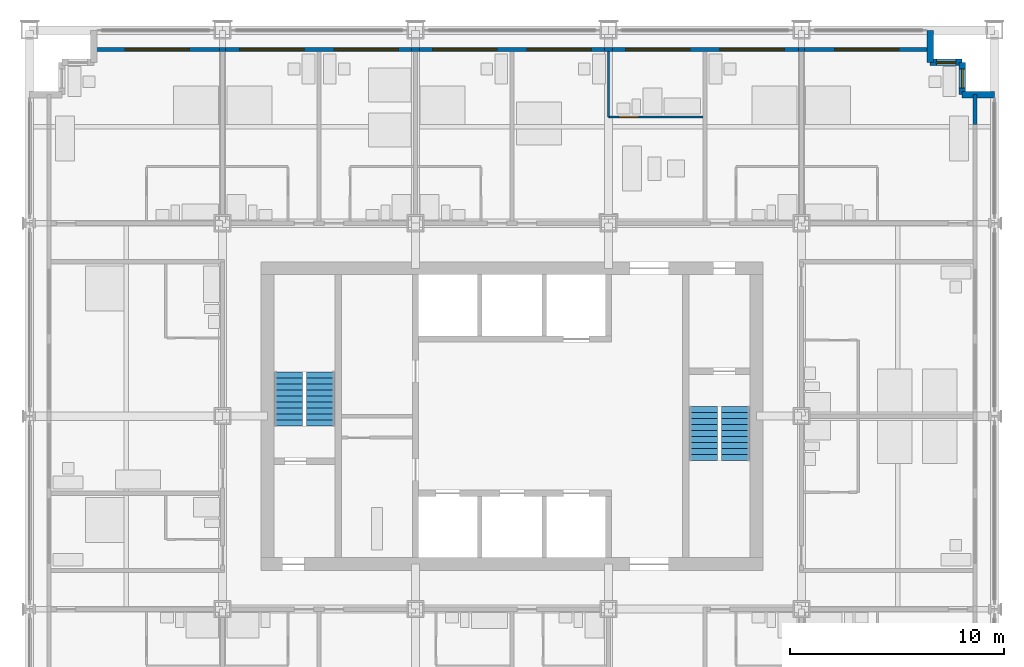
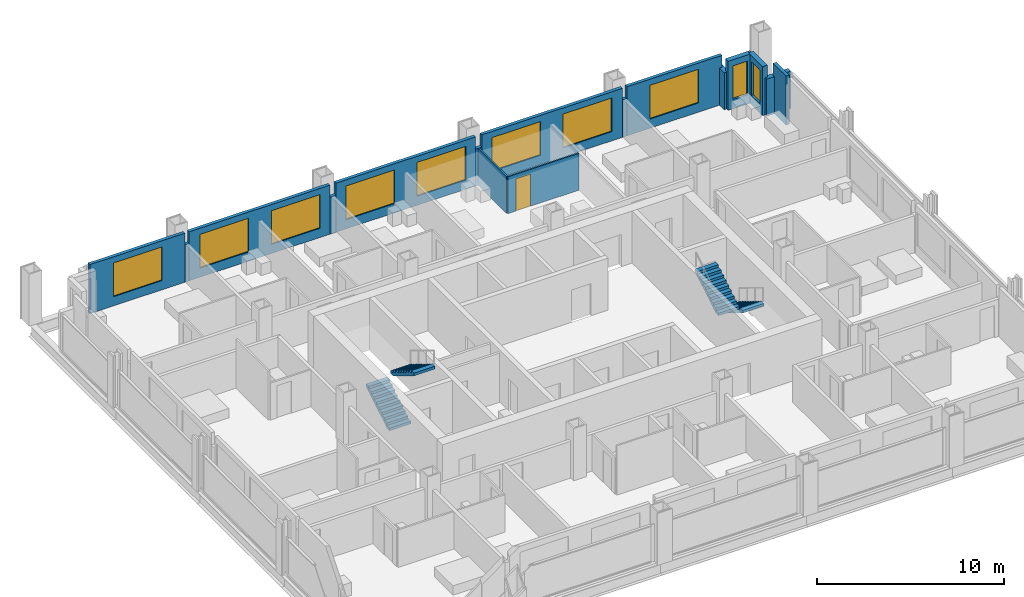
# One storey, part 13 of 16: 16 walls, 10 windows, 4 stair flights, 1 door, 11 openings, 2 elements without a shape of their own.
"""IFC4 building model written with IfcOpenShell, lengths in metres."""

from ifc_helpers import new_model, si_unit, direction, frame, frame_2d, origin, place, context, subcontext, project, spatial, polyline, rectangle, outline, extrude, material, layer, layer_set, type_object, element, fill, aggregate, save


model = new_model("IFC4")

# Units and contexts
model_context = context("Model", 3, precision=1e-05, world=origin(), true_north=direction((0.0, 1.0)))
body_context = subcontext(model_context, "Body", "Model", "MODEL_VIEW")
ifc_project = project(units=[si_unit("LENGTHUNIT", "METRE"), si_unit("AREAUNIT", "SQUARE_METRE"), si_unit("VOLUMEUNIT", "CUBIC_METRE"), si_unit("PLANEANGLEUNIT", "RADIAN"), si_unit("MASSUNIT", "GRAM", prefix="KILO")], contexts=[model_context])

# Site, building, storey
site_placement = place(None, origin())
site = spatial("IfcSite", under=ifc_project, at=site_placement, CompositionType="ELEMENT")
building_placement = place(site_placement, origin())
building = spatial("IfcBuilding", under=site, at=building_placement, Name="Loomwork Tower", CompositionType="ELEMENT")
storey_placement = place(building_placement, frame((0.0, 0.0, 104.39990234375)))
storey = spatial("IfcBuildingStorey", under=building, at=storey_placement, Name="L27", CompositionType="ELEMENT", Elevation=104.39990234375)

# Wall, opening, door
ifc_material_1 = material(Name="Cement board on steel studs", Category="steel")
ifc_layer_1 = layer(ifc_material_1, 0.10009765625)
ifc_layer_set_1 = layer_set([ifc_layer_1], Name="En-suite partition 100")
wall_type_1 = type_object("IfcWallType", Name="En-suite partition 100", PredefinedType="PARTITIONING", material=ifc_layer_set_1)
wall_1_placement = place(storey_placement, frame((27.0, 31.949951171875, 0.0), z_axis=(0.0, 0.0, 1.0), x_axis=(1.0, 0.0, 0.0)))
wall_1 = element("IfcWall", 1, at=wall_1_placement, inside=storey, type_object=wall_type_1, Name="Spa bathroom wall L27 room 11", PredefinedType="PARTITIONING", context=body_context, shape_type="SweptSolid", body=[
    extrude(rectangle(XDim=4.39990234375, YDim=0.10009765625, at=frame_2d((2.199951171875, 0.0))), origin(), (0.0, 0.0, 1.0), 2.404052734375),
])
opening_1_placement = place(wall_1_placement, frame((0.5, 0.0, 0.0)))
opening_1 = element("IfcOpeningElement", 2, at=opening_1_placement, cuts=wall_1, Name="Opening D2", PredefinedType="OPENING", context=body_context, shape_type="SweptSolid", body=[
    extrude(rectangle(XDim=0.89990234375, YDim=2.10009765625, at=frame_2d((0.449951171875, 1.050048828125))), frame((0.0, 0.06005859375, 0.0), z_axis=(0.0, -1.0, 0.0), x_axis=(1.0, 0.0, 0.0)), (0.0, 0.0, 1.0), 0.1201171875),
])
ifc_material_2 = material(Name="Hollow metal door and frame")
door_type = type_object("IfcDoorType", Name="En-suite door 900", OperationType="SINGLE_SWING_LEFT", PredefinedType="DOOR", material=ifc_material_2)
door_placement = place(opening_1_placement, origin())
door = element("IfcDoor", 3, at=door_placement, inside=storey, type_object=door_type, Name="Spa bathroom door room 11", OperationType="SINGLE_SWING_LEFT", OverallHeight=2.10009765625, OverallWidth=0.89990234375, PredefinedType="DOOR", context=body_context, shape_type="SweptSolid", body=[
    extrude(rectangle(XDim=0.89990234375, YDim=2.10009765625, at=frame_2d((0.449951171875, 1.050048828125))), frame((0.0, 0.02490234375, 0.0), z_axis=(0.0, -1.0, 0.0), x_axis=(1.0, 0.0, 0.0)), (0.0, 0.0, 1.0), 0.050048828125),
])
fill(opening_1, door)

# Wall
wall_2_placement = place(storey_placement, frame((27.0, 31.949951171875, 0.0), z_axis=(0.0, 0.0, 1.0), x_axis=(0.0, 1.0, 0.0)))
element("IfcWall", 4, at=wall_2_placement, inside=storey, type_object=wall_type_1, Name="Spa bathroom side wall L27 room 11", PredefinedType="PARTITIONING", context=body_context, shape_type="SweptSolid", body=[
    extrude(rectangle(XDim=3.050048828125, YDim=0.10009765625, at=frame_2d((1.52490234375, 0.0))), origin(), (0.0, 0.0, 1.0), 2.405029296875),
])

# Wall, opening, window
ifc_material_3 = material(Name="Insulated steel stud wall with gypsum lining", Category="steel")
ifc_layer_2 = layer(ifc_material_3, 0.199951171875)
ifc_layer_set_2 = layer_set([ifc_layer_2], Name="Inner skin wall 200")
wall_type_2 = type_object("IfcWallType", Name="Inner skin wall 200", PredefinedType="SOLIDWALL", material=ifc_layer_set_2)
wall_3_placement = place(storey_placement, frame((3.0, 35.10009765625, 0.0), z_axis=(0.0, 0.0, 1.0), x_axis=(1.0, 0.0, 0.0)))
wall_3 = element("IfcWall", 5, at=wall_3_placement, inside=storey, type_object=wall_type_2, Name="Inner skin wall N", PredefinedType="SOLIDWALL", context=body_context, shape_type="SweptSolid", body=[
    extrude(rectangle(XDim=5.86474609375, YDim=0.199951171875, at=frame_2d((2.932373046875, 0.0))), origin(), (0.0, 0.0, 1.0), 3.2001953125),
])
opening_2_placement = place(wall_3_placement, frame((1.449951171875, 0.0, 0.60009765625)))
opening_2 = element("IfcOpeningElement", 6, at=opening_2_placement, cuts=wall_3, Name="Opening CH1", PredefinedType="OPENING", context=body_context, shape_type="SweptSolid", body=[
    extrude(rectangle(XDim=3.0, YDim=2.199951171875, at=frame_2d((1.5, 1.10009765625))), frame((0.0, 0.10986328125, 0.0), z_axis=(0.0, -1.0, 0.0), x_axis=(1.0, 0.0, 0.0)), (0.0, 0.0, 1.0), 0.219970703125),
])
ifc_material_4 = material(Name="Aluminium frame with clear insulated glass", Category="aluminium")
window_type_1 = type_object("IfcWindowType", Name="Chicago window 3000", PartitioningType="TRIPLE_PANEL_VERTICAL", PredefinedType="WINDOW", material=ifc_material_4)
window_1_placement = place(opening_2_placement, origin())
window_1 = element("IfcWindow", 7, at=window_1_placement, inside=storey, type_object=window_type_1, Name="Chicago window L27 bay 6", OverallHeight=2.199951171875, OverallWidth=3.0, PartitioningType="TRIPLE_PANEL_VERTICAL", PredefinedType="WINDOW", context=body_context, shape_type="SweptSolid", body=[
    extrude(rectangle(XDim=3.0, YDim=2.199951171875, at=frame_2d((1.5, 1.10009765625))), frame((0.0, 0.030029296875, 0.0), z_axis=(0.0, -1.0, 0.0), x_axis=(1.0, 0.0, 0.0)), (0.0, 0.0, 1.0), 0.06005859375),
])
fill(opening_2, window_1)

# Wall
wall_4_placement = place(storey_placement, frame((8.86474609375, 35.10009765625, 0.0), z_axis=(0.0, 0.0, 1.0), x_axis=(1.0, 0.0, 0.0)))
element("IfcWall", 8, at=wall_4_placement, inside=storey, type_object=wall_type_2, Name="Inner skin wall N bay 2", PredefinedType="SOLIDWALL", context=body_context, shape_type="SweptSolid", body=[
    extrude(rectangle(XDim=0.2705078125, YDim=0.199951171875, at=frame_2d((0.13525390625, 0.0))), origin(), (0.0, 0.0, 1.0), 2.43798828125),
])

# Wall, openings, windows
wall_5_placement = place(storey_placement, frame((9.13525390625, 35.10009765625, 0.0), z_axis=(0.0, 0.0, 1.0), x_axis=(1.0, 0.0, 0.0)))
wall_5 = element("IfcWall", 9, at=wall_5_placement, inside=storey, type_object=wall_type_2, Name="Inner skin wall N bay 3", PredefinedType="SOLIDWALL", context=body_context, shape_type="SweptSolid", body=[
    extrude(rectangle(XDim=8.6708984375, YDim=0.199951171875, at=frame_2d((4.33544921875, 0.0))), origin(), (0.0, 0.0, 1.0), 3.2001953125),
])
opening_3_placement = place(wall_5_placement, frame((0.664794921875, 0.0, 0.60009765625)))
opening_3 = element("IfcOpeningElement", 10, at=opening_3_placement, cuts=wall_5, Name="Opening CH1", PredefinedType="OPENING", context=body_context, shape_type="SweptSolid", body=[
    extrude(rectangle(XDim=3.0, YDim=2.199951171875, at=frame_2d((1.5, 1.10009765625))), frame((0.0, 0.10986328125, 0.0), z_axis=(0.0, -1.0, 0.0), x_axis=(1.0, 0.0, 0.0)), (0.0, 0.0, 1.0), 0.219970703125),
])
opening_4_placement = place(wall_5_placement, frame((5.064697265625, 0.0, 0.60009765625)))
opening_4 = element("IfcOpeningElement", 11, at=opening_4_placement, cuts=wall_5, Name="Opening CH1", PredefinedType="OPENING", context=body_context, shape_type="SweptSolid", body=[
    extrude(rectangle(XDim=3.0, YDim=2.199951171875, at=frame_2d((1.5, 1.10009765625))), frame((0.0, 0.10986328125, 0.0), z_axis=(0.0, -1.0, 0.0), x_axis=(1.0, 0.0, 0.0)), (0.0, 0.0, 1.0), 0.219970703125),
])
window_2_placement = place(opening_3_placement, origin())
window_2 = element("IfcWindow", 12, at=window_2_placement, inside=storey, type_object=window_type_1, Name="Chicago window L27 bay 7", OverallHeight=2.199951171875, OverallWidth=3.0, PartitioningType="TRIPLE_PANEL_VERTICAL", PredefinedType="WINDOW", context=body_context, shape_type="SweptSolid", body=[
    extrude(rectangle(XDim=3.0, YDim=2.199951171875, at=frame_2d((1.5, 1.10009765625))), frame((0.0, 0.030029296875, 0.0), z_axis=(0.0, -1.0, 0.0), x_axis=(1.0, 0.0, 0.0)), (0.0, 0.0, 1.0), 0.06005859375),
])
fill(opening_3, window_2)
window_3_placement = place(opening_4_placement, origin())
window_3 = element("IfcWindow", 13, at=window_3_placement, inside=storey, type_object=window_type_1, Name="Chicago window L27 bay 7", OverallHeight=2.199951171875, OverallWidth=3.0, PartitioningType="TRIPLE_PANEL_VERTICAL", PredefinedType="WINDOW", context=body_context, shape_type="SweptSolid", body=[
    extrude(rectangle(XDim=3.0, YDim=2.199951171875, at=frame_2d((1.5, 1.10009765625))), frame((0.0, 0.030029296875, 0.0), z_axis=(0.0, -1.0, 0.0), x_axis=(1.0, 0.0, 0.0)), (0.0, 0.0, 1.0), 0.06005859375),
])
fill(opening_4, window_3)

# Wall
wall_6_placement = place(storey_placement, frame((17.80615234375, 35.10009765625, 0.0), z_axis=(0.0, 0.0, 1.0), x_axis=(1.0, 0.0, 0.0)))
element("IfcWall", 14, at=wall_6_placement, inside=storey, type_object=wall_type_2, Name="Inner skin wall N bay 4", PredefinedType="SOLIDWALL", context=body_context, shape_type="SweptSolid", body=[
    extrude(rectangle(XDim=0.3876953125, YDim=0.199951171875, at=frame_2d((0.19384765625, 0.0))), origin(), (0.0, 0.0, 1.0), 2.404052734375),
])

# Wall, openings, windows
wall_7_placement = place(storey_placement, frame((18.19384765625, 35.10009765625, 0.0), z_axis=(0.0, 0.0, 1.0), x_axis=(1.0, 0.0, 0.0)))
wall_7 = element("IfcWall", 15, at=wall_7_placement, inside=storey, type_object=wall_type_2, Name="Inner skin wall N bay 5", PredefinedType="SOLIDWALL", context=body_context, shape_type="SweptSolid", body=[
    extrude(rectangle(XDim=8.6123046875, YDim=0.199951171875, at=frame_2d((4.30615234375, 0.0))), origin(), (0.0, 0.0, 1.0), 3.2001953125),
])
opening_5_placement = place(wall_7_placement, frame((0.606201171875, 0.0, 0.60009765625)))
opening_5 = element("IfcOpeningElement", 16, at=opening_5_placement, cuts=wall_7, Name="Opening CH1", PredefinedType="OPENING", context=body_context, shape_type="SweptSolid", body=[
    extrude(rectangle(XDim=3.0, YDim=2.199951171875, at=frame_2d((1.5, 1.10009765625))), frame((0.0, 0.10986328125, 0.0), z_axis=(0.0, -1.0, 0.0), x_axis=(1.0, 0.0, 0.0)), (0.0, 0.0, 1.0), 0.219970703125),
])
opening_6_placement = place(wall_7_placement, frame((5.006103515625, 0.0, 0.60009765625)))
opening_6 = element("IfcOpeningElement", 17, at=opening_6_placement, cuts=wall_7, Name="Opening CH1", PredefinedType="OPENING", context=body_context, shape_type="SweptSolid", body=[
    extrude(rectangle(XDim=3.0, YDim=2.199951171875, at=frame_2d((1.5, 1.10009765625))), frame((0.0, 0.10986328125, 0.0), z_axis=(0.0, -1.0, 0.0), x_axis=(1.0, 0.0, 0.0)), (0.0, 0.0, 1.0), 0.219970703125),
])
window_4_placement = place(opening_5_placement, origin())
window_4 = element("IfcWindow", 18, at=window_4_placement, inside=storey, type_object=window_type_1, Name="Chicago window L27 bay 8", OverallHeight=2.199951171875, OverallWidth=3.0, PartitioningType="TRIPLE_PANEL_VERTICAL", PredefinedType="WINDOW", context=body_context, shape_type="SweptSolid", body=[
    extrude(rectangle(XDim=3.0, YDim=2.199951171875, at=frame_2d((1.5, 1.10009765625))), frame((0.0, 0.030029296875, 0.0), z_axis=(0.0, -1.0, 0.0), x_axis=(1.0, 0.0, 0.0)), (0.0, 0.0, 1.0), 0.06005859375),
])
fill(opening_5, window_4)
window_5_placement = place(opening_6_placement, origin())
window_5 = element("IfcWindow", 19, at=window_5_placement, inside=storey, type_object=window_type_1, Name="Chicago window L27 bay 8", OverallHeight=2.199951171875, OverallWidth=3.0, PartitioningType="TRIPLE_PANEL_VERTICAL", PredefinedType="WINDOW", context=body_context, shape_type="SweptSolid", body=[
    extrude(rectangle(XDim=3.0, YDim=2.199951171875, at=frame_2d((1.5, 1.10009765625))), frame((0.0, 0.030029296875, 0.0), z_axis=(0.0, -1.0, 0.0), x_axis=(1.0, 0.0, 0.0)), (0.0, 0.0, 1.0), 0.06005859375),
])
fill(opening_6, window_5)

# Wall
wall_8_placement = place(storey_placement, frame((26.80615234375, 35.10009765625, 0.0), z_axis=(0.0, 0.0, 1.0), x_axis=(1.0, 0.0, 0.0)))
element("IfcWall", 20, at=wall_8_placement, inside=storey, type_object=wall_type_2, Name="Inner skin wall N bay 6", PredefinedType="SOLIDWALL", context=body_context, shape_type="SweptSolid", body=[
    extrude(rectangle(XDim=0.3876953125, YDim=0.199951171875, at=frame_2d((0.19384765625, 0.0))), origin(), (0.0, 0.0, 1.0), 2.404052734375),
])

# Wall, openings, windows
wall_9_placement = place(storey_placement, frame((27.19384765625, 35.10009765625, 0.0), z_axis=(0.0, 0.0, 1.0), x_axis=(1.0, 0.0, 0.0)))
wall_9 = element("IfcWall", 21, at=wall_9_placement, inside=storey, type_object=wall_type_2, Name="Inner skin wall N bay 7", PredefinedType="SOLIDWALL", context=body_context, shape_type="SweptSolid", body=[
    extrude(rectangle(XDim=8.670654296875, YDim=0.199951171875, at=frame_2d((4.33544921875, 0.0))), origin(), (0.0, 0.0, 1.0), 3.2001953125),
])
opening_7_placement = place(wall_9_placement, frame((0.606201171875, 0.0, 0.60009765625)))
opening_7 = element("IfcOpeningElement", 22, at=opening_7_placement, cuts=wall_9, Name="Opening CH1", PredefinedType="OPENING", context=body_context, shape_type="SweptSolid", body=[
    extrude(rectangle(XDim=3.0, YDim=2.199951171875, at=frame_2d((1.5, 1.10009765625))), frame((0.0, 0.10986328125, 0.0), z_axis=(0.0, -1.0, 0.0), x_axis=(1.0, 0.0, 0.0)), (0.0, 0.0, 1.0), 0.219970703125),
])
opening_8_placement = place(wall_9_placement, frame((5.006103515625, 0.0, 0.60009765625)))
opening_8 = element("IfcOpeningElement", 23, at=opening_8_placement, cuts=wall_9, Name="Opening CH1", PredefinedType="OPENING", context=body_context, shape_type="SweptSolid", body=[
    extrude(rectangle(XDim=3.0, YDim=2.199951171875, at=frame_2d((1.5, 1.10009765625))), frame((0.0, 0.10986328125, 0.0), z_axis=(0.0, -1.0, 0.0), x_axis=(1.0, 0.0, 0.0)), (0.0, 0.0, 1.0), 0.219970703125),
])
window_6_placement = place(opening_7_placement, origin())
window_6 = element("IfcWindow", 24, at=window_6_placement, inside=storey, type_object=window_type_1, Name="Chicago window L27 bay 9", OverallHeight=2.199951171875, OverallWidth=3.0, PartitioningType="TRIPLE_PANEL_VERTICAL", PredefinedType="WINDOW", context=body_context, shape_type="SweptSolid", body=[
    extrude(rectangle(XDim=3.0, YDim=2.199951171875, at=frame_2d((1.5, 1.10009765625))), frame((0.0, 0.030029296875, 0.0), z_axis=(0.0, -1.0, 0.0), x_axis=(1.0, 0.0, 0.0)), (0.0, 0.0, 1.0), 0.06005859375),
])
fill(opening_7, window_6)
window_7_placement = place(opening_8_placement, origin())
window_7 = element("IfcWindow", 25, at=window_7_placement, inside=storey, type_object=window_type_1, Name="Chicago window L27 bay 9", OverallHeight=2.199951171875, OverallWidth=3.0, PartitioningType="TRIPLE_PANEL_VERTICAL", PredefinedType="WINDOW", context=body_context, shape_type="SweptSolid", body=[
    extrude(rectangle(XDim=3.0, YDim=2.199951171875, at=frame_2d((1.5, 1.10009765625))), frame((0.0, 0.030029296875, 0.0), z_axis=(0.0, -1.0, 0.0), x_axis=(1.0, 0.0, 0.0)), (0.0, 0.0, 1.0), 0.06005859375),
])
fill(opening_8, window_7)

# Wall
wall_10_placement = place(storey_placement, frame((35.864501953125, 35.10009765625, 0.0), z_axis=(0.0, 0.0, 1.0), x_axis=(1.0, 0.0, 0.0)))
element("IfcWall", 26, at=wall_10_placement, inside=storey, type_object=wall_type_2, Name="Inner skin wall N bay 8", PredefinedType="SOLIDWALL", context=body_context, shape_type="SweptSolid", body=[
    extrude(rectangle(XDim=0.27099609375, YDim=0.199951171875, at=frame_2d((0.135498046875, 0.0))), origin(), (0.0, 0.0, 1.0), 2.43798828125),
])

# Wall, opening, window
wall_11_placement = place(storey_placement, frame((36.135498046875, 35.10009765625, 0.0), z_axis=(0.0, 0.0, 1.0), x_axis=(1.0, 0.0, 0.0)))
wall_11 = element("IfcWall", 27, at=wall_11_placement, inside=storey, type_object=wall_type_2, Name="Inner skin wall N bay 9", PredefinedType="SOLIDWALL", context=body_context, shape_type="SweptSolid", body=[
    extrude(rectangle(XDim=5.864501953125, YDim=0.199951171875, at=frame_2d((2.93212890625, 0.0))), origin(), (0.0, 0.0, 1.0), 3.2001953125),
])
opening_9_placement = place(wall_11_placement, frame((1.41455078125, 0.0, 0.60009765625)))
opening_9 = element("IfcOpeningElement", 28, at=opening_9_placement, cuts=wall_11, Name="Opening CH1", PredefinedType="OPENING", context=body_context, shape_type="SweptSolid", body=[
    extrude(rectangle(XDim=3.0, YDim=2.199951171875, at=frame_2d((1.5, 1.10009765625))), frame((0.0, 0.10986328125, 0.0), z_axis=(0.0, -1.0, 0.0), x_axis=(1.0, 0.0, 0.0)), (0.0, 0.0, 1.0), 0.219970703125),
])
window_8_placement = place(opening_9_placement, origin())
window_8 = element("IfcWindow", 29, at=window_8_placement, inside=storey, type_object=window_type_1, Name="Chicago window L27 bay 10", OverallHeight=2.199951171875, OverallWidth=3.0, PartitioningType="TRIPLE_PANEL_VERTICAL", PredefinedType="WINDOW", context=body_context, shape_type="SweptSolid", body=[
    extrude(rectangle(XDim=3.0, YDim=2.199951171875, at=frame_2d((1.5, 1.10009765625))), frame((0.0, 0.030029296875, 0.0), z_axis=(0.0, -1.0, 0.0), x_axis=(1.0, 0.0, 0.0)), (0.0, 0.0, 1.0), 0.06005859375),
])
fill(opening_9, window_8)

# Walls
wall_12_placement = place(storey_placement, frame((44.10009765625, 31.607421875, 0.0), z_axis=(0.0, 0.0, 1.0), x_axis=(0.0, 1.0, 0.0)))
element("IfcWall", 30, at=wall_12_placement, inside=storey, type_object=wall_type_2, Name="Inner skin wall E bay 11", PredefinedType="SOLIDWALL", context=body_context, shape_type="SweptSolid", body=[
    extrude(rectangle(XDim=1.392578125, YDim=0.199951171875, at=frame_2d((0.6962890625, 0.0))), origin(), (0.0, 0.0, 1.0), 3.2001953125),
])
ifc_material_5 = material(Name="Limestone on concrete masonry", Category="masonry")
ifc_layer_3 = layer(ifc_material_5, 0.300048828125)
ifc_layer_set_3 = layer_set([ifc_layer_3], Name="Limestone corner wall 300")
wall_type_3 = type_object("IfcWallType", Name="Limestone corner wall 300", PredefinedType="SOLIDWALL", material=ifc_layer_set_3)
wall_13_placement = place(storey_placement, frame((45.0, 33.0, 0.0), z_axis=(0.0, 0.0, 1.0), x_axis=(-1.0, 0.0, 0.0)))
element("IfcWall", 31, at=wall_13_placement, inside=storey, type_object=wall_type_3, Name="Stone corner wall NE 1", PredefinedType="SOLIDWALL", context=body_context, shape_type="SweptSolid", body=[
    extrude(rectangle(XDim=1.5, YDim=0.300048828125, at=frame_2d((0.75, 0.0))), origin(), (0.0, 0.0, 1.0), 2.420166015625),
])

# Wall, opening, window
wall_14_placement = place(storey_placement, frame((43.5, 33.0, 0.0), z_axis=(0.0, 0.0, 1.0), x_axis=(0.0, 1.0, 0.0)))
wall_14 = element("IfcWall", 32, at=wall_14_placement, inside=storey, type_object=wall_type_3, Name="Stone corner wall NE 2", PredefinedType="SOLIDWALL", context=body_context, shape_type="SweptSolid", body=[
    extrude(rectangle(XDim=1.5, YDim=0.300048828125, at=frame_2d((0.75, 0.0))), origin(), (0.0, 0.0, 1.0), 3.2001953125),
])
opening_10_placement = place(wall_14_placement, frame((0.300048828125, 0.0, 0.60009765625)))
opening_10 = element("IfcOpeningElement", 33, at=opening_10_placement, cuts=wall_14, Name="Opening CH2", PredefinedType="OPENING", context=body_context, shape_type="SweptSolid", body=[
    extrude(rectangle(XDim=0.89990234375, YDim=2.199951171875, at=frame_2d((0.449951171875, 1.10009765625))), frame((0.0, 0.159912109375, 0.0), z_axis=(0.0, -1.0, 0.0), x_axis=(1.0, 0.0, 0.0)), (0.0, 0.0, 1.0), 0.320068359375),
])
ifc_material_6 = material(Name="Aluminium frame with clear insulated glass", Category="aluminium")
window_type_2 = type_object("IfcWindowType", Name="Corner window 900", PartitioningType="SINGLE_PANEL", PredefinedType="WINDOW", material=ifc_material_6)
window_9_placement = place(opening_10_placement, origin())
window_9 = element("IfcWindow", 34, at=window_9_placement, inside=storey, type_object=window_type_2, Name="Corner window NE", OverallHeight=2.199951171875, OverallWidth=0.89990234375, PartitioningType="SINGLE_PANEL", PredefinedType="WINDOW", context=body_context, shape_type="SweptSolid", body=[
    extrude(rectangle(XDim=0.89990234375, YDim=2.199951171875, at=frame_2d((0.449951171875, 1.10009765625))), frame((0.0, 0.030029296875, 0.0), z_axis=(0.0, -1.0, 0.0), x_axis=(1.0, 0.0, 0.0)), (0.0, 0.0, 1.0), 0.06005859375),
])
fill(opening_10, window_9)

wall_15_placement = place(storey_placement, frame((43.5, 34.5, 0.0), z_axis=(0.0, 0.0, 1.0), x_axis=(-1.0, 0.0, 0.0)))
wall_15 = element("IfcWall", 35, at=wall_15_placement, inside=storey, type_object=wall_type_3, Name="Stone corner wall NE 3", PredefinedType="SOLIDWALL", context=body_context, shape_type="SweptSolid", body=[
    extrude(rectangle(XDim=1.5, YDim=0.300048828125, at=frame_2d((0.75, 0.0))), origin(), (0.0, 0.0, 1.0), 3.2001953125),
])
opening_11_placement = place(wall_15_placement, frame((0.300048828125, 0.0, 0.60009765625)))
opening_11 = element("IfcOpeningElement", 36, at=opening_11_placement, cuts=wall_15, Name="Opening CH2", PredefinedType="OPENING", context=body_context, shape_type="SweptSolid", body=[
    extrude(rectangle(XDim=0.89990234375, YDim=2.199951171875, at=frame_2d((0.449951171875, 1.10009765625))), frame((0.0, 0.159912109375, 0.0), z_axis=(0.0, -1.0, 0.0), x_axis=(1.0, 0.0, 0.0)), (0.0, 0.0, 1.0), 0.320068359375),
])
window_10_placement = place(opening_11_placement, origin())
window_10 = element("IfcWindow", 37, at=window_10_placement, inside=storey, type_object=window_type_2, Name="Corner window NE", OverallHeight=2.199951171875, OverallWidth=0.89990234375, PartitioningType="SINGLE_PANEL", PredefinedType="WINDOW", context=body_context, shape_type="SweptSolid", body=[
    extrude(rectangle(XDim=0.89990234375, YDim=2.199951171875, at=frame_2d((0.449951171875, 1.10009765625))), frame((0.0, 0.030029296875, 0.0), z_axis=(0.0, -1.0, 0.0), x_axis=(1.0, 0.0, 0.0)), (0.0, 0.0, 1.0), 0.06005859375),
])
fill(opening_11, window_10)

# Wall
wall_16_placement = place(storey_placement, frame((42.0, 34.5, 0.0), z_axis=(0.0, 0.0, 1.0), x_axis=(0.0, 1.0, 0.0)))
element("IfcWall", 38, at=wall_16_placement, inside=storey, type_object=wall_type_3, Name="Stone corner wall NE 4", PredefinedType="SOLIDWALL", context=body_context, shape_type="SweptSolid", body=[
    extrude(rectangle(XDim=1.5, YDim=0.300048828125, at=frame_2d((0.75, 0.0))), origin(), (0.0, 0.0, 1.0), 2.420166015625),
])

# Stair, stair flights
ifc_material_7 = material(Name="Concrete 5000 psi (34 MPa) precast stair", Category="concrete")
stair_type_1 = type_object("IfcStairType", Name="Stair ST-A 20 risers 2850 wide", PredefinedType="HALF_TURN_STAIR", material=ifc_material_7)
stair_1_placement = place(storey_placement, origin())
stair_1 = element("IfcStair", 39, at=stair_1_placement, inside=storey, type_object=stair_type_1, Name="Stair A L27", PredefinedType="HALF_TURN_STAIR")
ifc_material_8 = material(Name="Concrete 5000 psi (34 MPa) precast stair", Category="concrete")
stair_flight_type_1 = type_object("IfcStairFlightType", Name="Stair flight ST-A 10 risers 1300 wide", PredefinedType="STRAIGHT", material=ifc_material_8)
stair_flight_1_placement = place(storey_placement, frame((12.074951171875, 17.550048828125, 0.0), z_axis=(0.0, 0.0, 1.0), x_axis=(0.0, 1.0, 0.0)))
stair_flight_1 = element("IfcStairFlight", 40, at=stair_flight_1_placement, type_object=stair_flight_type_1, Name="ST-A flight 1", NumberOfRisers=10, NumberOfTreads=9, PredefinedType="STRAIGHT", RiserHeight=0.17, TreadLength=0.28, context=body_context, shape_type="SweptSolid", body=[
    extrude(outline(polyline([(0.0, 0.0), (0.0, 0.169921875), (0.280029296875, 0.169921875), (0.280029296875, 0.340087890625), (0.56005859375, 0.340087890625), (0.56005859375, 0.510009765625), (0.840087890625, 0.510009765625), (0.840087890625, 0.679931640625), (1.1201171875, 0.679931640625), (1.1201171875, 0.85009765625), (1.39990234375, 0.85009765625), (1.39990234375, 1.02001953125), (1.679931640625, 1.02001953125), (1.679931640625, 1.18994140625), (1.9599609375, 1.18994140625), (1.9599609375, 1.360107421875), (2.239990234375, 1.360107421875), (2.239990234375, 1.530029296875), (2.52001953125, 1.530029296875), (2.52001953125, 1.699951171875), (2.52001953125, 1.354736328125), (0.288818359375, 0.0), (0.0, 0.0)])), frame((0.0, 0.64990234375, 0.0), z_axis=(0.0, -1.0, 0.0), x_axis=(1.0, 0.0, 0.0)), (0.0, 0.0, 1.0), 1.300048828125),
])
stair_flight_2_placement = place(storey_placement, frame((13.574951171875, 20.070068359375, 1.7001953125), z_axis=(0.0, 0.0, 1.0), x_axis=(0.0, -1.0, 0.0)))
stair_flight_2 = element("IfcStairFlight", 41, at=stair_flight_2_placement, type_object=stair_flight_type_1, Name="ST-A flight 2", NumberOfRisers=10, NumberOfTreads=9, PredefinedType="STRAIGHT", RiserHeight=0.17, TreadLength=0.28, context=body_context, shape_type="SweptSolid", body=[
    extrude(outline(polyline([(0.0, 0.0), (0.0, 0.169921875), (0.280029296875, 0.169921875), (0.280029296875, 0.340087890625), (0.56005859375, 0.340087890625), (0.56005859375, 0.510009765625), (0.840087890625, 0.510009765625), (0.840087890625, 0.679931640625), (1.1201171875, 0.679931640625), (1.1201171875, 0.85009765625), (1.39990234375, 0.85009765625), (1.39990234375, 1.02001953125), (1.679931640625, 1.02001953125), (1.679931640625, 1.18994140625), (1.9599609375, 1.18994140625), (1.9599609375, 1.360107421875), (2.239990234375, 1.360107421875), (2.239990234375, 1.530029296875), (2.52001953125, 1.530029296875), (2.52001953125, 1.699951171875), (2.52001953125, 1.354736328125), (0.288818359375, 0.0), (0.0, 0.0)])), frame((0.0, 0.64990234375, 0.0), z_axis=(0.0, -1.0, 0.0), x_axis=(1.0, 0.0, 0.0)), (0.0, 0.0, 1.0), 1.300048828125),
])
aggregate(stair_1, [stair_flight_1, stair_flight_2])

ifc_material_9 = material(Name="Concrete 5000 psi (34 MPa) precast stair", Category="concrete")
stair_type_2 = type_object("IfcStairType", Name="Stair ST-B 20 risers 2850 wide", PredefinedType="HALF_TURN_STAIR", material=ifc_material_9)
stair_2_placement = place(storey_placement, origin())
stair_2 = element("IfcStair", 42, at=stair_2_placement, inside=storey, type_object=stair_type_2, Name="Stair B L27", PredefinedType="HALF_TURN_STAIR")
ifc_material_10 = material(Name="Concrete 5000 psi (34 MPa) precast stair", Category="concrete")
stair_flight_type_2 = type_object("IfcStairFlightType", Name="Stair flight ST-B 10 risers 1300 wide", PredefinedType="STRAIGHT", material=ifc_material_10)
stair_flight_3_placement = place(storey_placement, frame((32.925048828125, 18.449951171875, 0.0), z_axis=(0.0, 0.0, 1.0), x_axis=(0.0, -1.0, 0.0)))
stair_flight_3 = element("IfcStairFlight", 43, at=stair_flight_3_placement, type_object=stair_flight_type_2, Name="ST-B flight 1", NumberOfRisers=10, NumberOfTreads=9, PredefinedType="STRAIGHT", RiserHeight=0.17, TreadLength=0.28, context=body_context, shape_type="SweptSolid", body=[
    extrude(outline(polyline([(0.0, 0.0), (0.0, 0.169921875), (0.280029296875, 0.169921875), (0.280029296875, 0.340087890625), (0.56005859375, 0.340087890625), (0.56005859375, 0.510009765625), (0.840087890625, 0.510009765625), (0.840087890625, 0.679931640625), (1.1201171875, 0.679931640625), (1.1201171875, 0.85009765625), (1.39990234375, 0.85009765625), (1.39990234375, 1.02001953125), (1.679931640625, 1.02001953125), (1.679931640625, 1.18994140625), (1.9599609375, 1.18994140625), (1.9599609375, 1.360107421875), (2.239990234375, 1.360107421875), (2.239990234375, 1.530029296875), (2.52001953125, 1.530029296875), (2.52001953125, 1.699951171875), (2.52001953125, 1.354736328125), (0.288818359375, 0.0), (0.0, 0.0)])), frame((0.0, 0.64990234375, 0.0), z_axis=(0.0, -1.0, 0.0), x_axis=(1.0, 0.0, 0.0)), (0.0, 0.0, 1.0), 1.300048828125),
])
stair_flight_4_placement = place(storey_placement, frame((31.425048828125, 15.929931640625, 1.7001953125), z_axis=(0.0, 0.0, 1.0), x_axis=(0.0, 1.0, 0.0)))
stair_flight_4 = element("IfcStairFlight", 44, at=stair_flight_4_placement, type_object=stair_flight_type_2, Name="ST-B flight 2", NumberOfRisers=10, NumberOfTreads=9, PredefinedType="STRAIGHT", RiserHeight=0.17, TreadLength=0.28, context=body_context, shape_type="SweptSolid", body=[
    extrude(outline(polyline([(0.0, 0.0), (0.0, 0.169921875), (0.280029296875, 0.169921875), (0.280029296875, 0.340087890625), (0.56005859375, 0.340087890625), (0.56005859375, 0.510009765625), (0.840087890625, 0.510009765625), (0.840087890625, 0.679931640625), (1.1201171875, 0.679931640625), (1.1201171875, 0.85009765625), (1.39990234375, 0.85009765625), (1.39990234375, 1.02001953125), (1.679931640625, 1.02001953125), (1.679931640625, 1.18994140625), (1.9599609375, 1.18994140625), (1.9599609375, 1.360107421875), (2.239990234375, 1.360107421875), (2.239990234375, 1.530029296875), (2.52001953125, 1.530029296875), (2.52001953125, 1.699951171875), (2.52001953125, 1.354736328125), (0.288818359375, 0.0), (0.0, 0.0)])), frame((0.0, 0.64990234375, 0.0), z_axis=(0.0, -1.0, 0.0), x_axis=(1.0, 0.0, 0.0)), (0.0, 0.0, 1.0), 1.300048828125),
])
aggregate(stair_2, [stair_flight_3, stair_flight_4])

save(model, "model.ifc")
